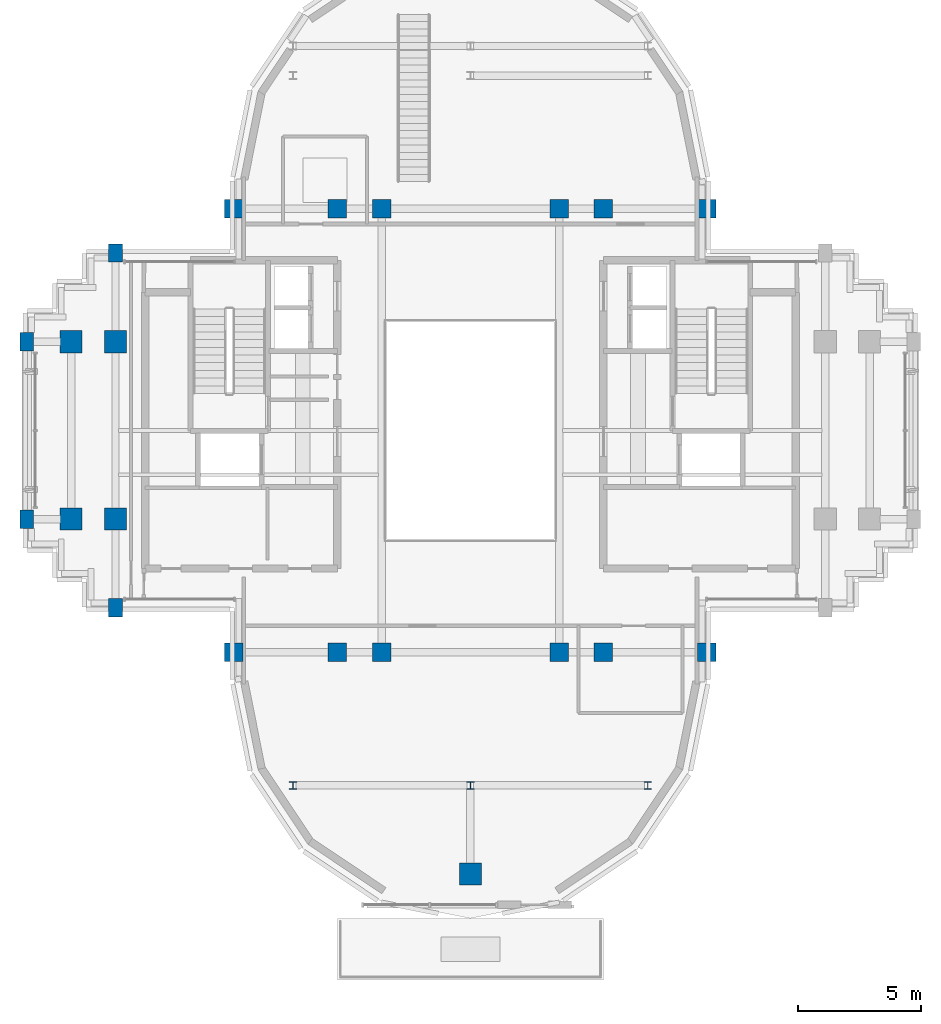
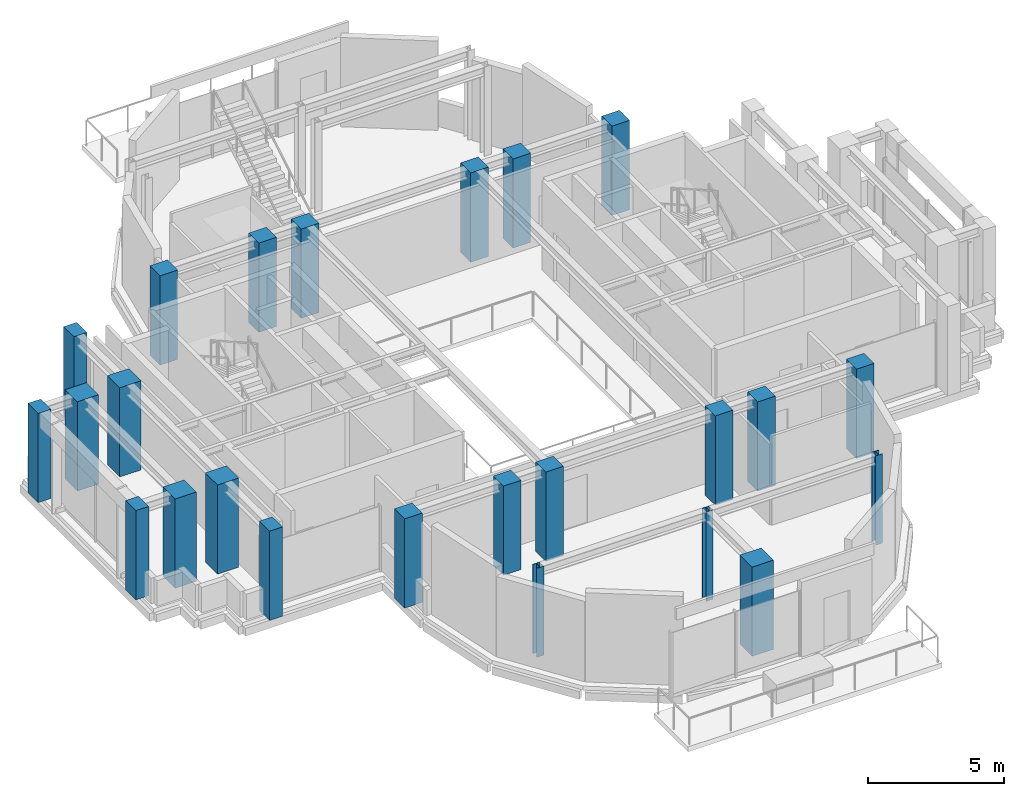
# One storey, part 1 of 14: 24 columns.
"""IFC4 building model written with IfcOpenShell, lengths in metres."""

from ifc_helpers import new_model, si_unit, direction, frame, origin, origin_2d, place, context, subcontext, project, spatial, rectangle, i_section, extrude, source, transform, mapped, material, material_profile, profile_set, type_object, element, save


model = new_model("IFC4")

# Units and contexts
model_context = context("Model", 3, precision=1e-05, world=origin(), true_north=direction((0.0, 1.0)))
body_context = subcontext(model_context, "Body", "Model", "MODEL_VIEW")
ifc_project = project(units=[si_unit("LENGTHUNIT", "METRE"), si_unit("AREAUNIT", "SQUARE_METRE"), si_unit("VOLUMEUNIT", "CUBIC_METRE"), si_unit("PLANEANGLEUNIT", "RADIAN"), si_unit("MASSUNIT", "GRAM", prefix="KILO")], contexts=[model_context])

# Site, building, storey
site_placement = place(None, origin())
site = spatial("IfcSite", under=ifc_project, at=site_placement, CompositionType="ELEMENT")
building_placement = place(site_placement, origin())
building = spatial("IfcBuilding", under=site, at=building_placement, Name="Keilestroom Media Tower", CompositionType="ELEMENT")
storey_placement = place(building_placement, frame((0.0, 0.0, 219.39990234375)))
storey = spatial("IfcBuildingStorey", under=building, at=storey_placement, Name="L60", CompositionType="ELEMENT", Elevation=219.39990234375)

# Columns
ifc_material_1 = material(Name="Precast concrete C40/50", Category="concrete")
ifc_material_profile_1 = material_profile(ifc_material_1, rectangle(XDim=0.550048828125, YDim=0.75, at=origin_2d()), Name="PC 750x550")
ifc_profile_set_1 = profile_set([ifc_material_profile_1], Name="Precast concrete C40/50")
column_type_1 = type_object("IfcColumnType", Name="Structural-Column-PC-750x550", PredefinedType="COLUMN", material=ifc_profile_set_1)
shared_shape_1 = source(origin(), body_context, "Body", "SweptSolid", [
    extrude(rectangle(XDim=0.550048828125, YDim=0.75, at=origin_2d()), origin(), (0.0, 0.0, 1.0), 4.010009765625),
])
for number, where, z_axis, x_axis, name in (
    (1, (-18.0, -3.60009765625, 0.0), (0.0, 0.0, 1.0), (1.0, 0.0, 0.0), "L60 Column PC-3 (-18.0,-3.6)"),
    (2, (-18.0, 3.60009765625, 0.0), (0.0, 0.0, 1.0), (1.0, 0.0, 0.0), "L60 Column PC-3 (-18.0,+3.6)"),
    (3, (-14.39990234375, -7.199951171875, 0.0), (0.0, 0.0, 1.0), (1.0, 0.0, 0.0), "L60 Column PC-3 (-14.4,-7.2)"),
    (4, (-14.39990234375, 7.199951171875, 0.0), (0.0, 0.0, 1.0), (1.0, 0.0, 0.0), "L60 Column PC-3 (-14.4,+7.2)"),
):
    element("IfcColumn", number, at=place(storey_placement, frame(where, z_axis=z_axis, x_axis=x_axis)), inside=storey, type_object=column_type_1, Name=name, PredefinedType="COLUMN", context=body_context, shape_type="MappedRepresentation", body=[
        mapped(shared_shape_1, transform((0.0, 0.0, 0.0), x_axis=(1.0, 0.0, 0.0), y_axis=(0.0, 1.0, 0.0), z_axis=(0.0, 0.0, 1.0), scale=1.0)),
    ])
ifc_material_2 = material(Name="Concrete C55/67", Category="concrete")
ifc_material_profile_2 = material_profile(ifc_material_2, rectangle(XDim=0.89990234375, YDim=0.89990234375, at=origin_2d()), Name="RC 900x900")
ifc_profile_set_2 = profile_set([ifc_material_profile_2], Name="Concrete C55/67")
column_type_2 = type_object("IfcColumnType", Name="Structural-Column-RC-900x900", PredefinedType="COLUMN", material=ifc_profile_set_2)
shared_shape_2 = source(origin(), body_context, "Body", "SweptSolid", [
    extrude(rectangle(XDim=0.89990234375, YDim=0.89990234375, at=origin_2d()), origin(), (0.0, 0.0, 1.0), 4.010009765625),
])
for number, where, z_axis, x_axis, name in (
    (5, (-16.199951171875, -3.60009765625, 0.0), (0.0, 0.0, 1.0), (1.0, 0.0, 0.0), "L60 Column MC-4 (-16.2,-3.6)"),
    (6, (-16.199951171875, 3.60009765625, 0.0), (0.0, 0.0, 1.0), (1.0, 0.0, 0.0), "L60 Column MC-4 (-16.2,+3.6)"),
    (7, (-14.39990234375, -3.60009765625, 0.0), (0.0, 0.0, 1.0), (1.0, 0.0, 0.0), "L60 Column MC-4 (-14.4,-3.6)"),
    (8, (-14.39990234375, 3.60009765625, 0.0), (0.0, 0.0, 1.0), (1.0, 0.0, 0.0), "L60 Column MC-4 (-14.4,+3.6)"),
    (9, (0.0, -18.0, 0.0), (0.0, 0.0, 1.0), (1.0, 0.0, 0.0), "L60 Column MC-4 (+0.0,-18.0)"),
):
    element("IfcColumn", number, at=place(storey_placement, frame(where, z_axis=z_axis, x_axis=x_axis)), inside=storey, type_object=column_type_2, Name=name, PredefinedType="COLUMN", context=body_context, shape_type="MappedRepresentation", body=[
        mapped(shared_shape_2, transform((0.0, 0.0, 0.0), x_axis=(1.0, 0.0, 0.0), y_axis=(0.0, 1.0, 0.0), z_axis=(0.0, 0.0, 1.0), scale=1.0)),
    ])
ifc_material_3 = material(Name="Concrete C50/60", Category="concrete")
ifc_material_profile_3 = material_profile(ifc_material_3, rectangle(XDim=0.75, YDim=0.75, at=origin_2d()), Name="RC 750x750")
ifc_profile_set_3 = profile_set([ifc_material_profile_3], Name="Concrete C50/60")
column_type_3 = type_object("IfcColumnType", Name="Structural-Column-RC-750x750", PredefinedType="COLUMN", material=ifc_profile_set_3)
shared_shape_3 = source(origin(), body_context, "Body", "SweptSolid", [
    extrude(rectangle(XDim=0.75, YDim=0.75, at=origin_2d()), origin(), (0.0, 0.0, 1.0), 4.010009765625),
])
for number, where, z_axis, x_axis, name in (
    (10, (-9.60009765625, -9.0, 0.0), (0.0, 0.0, 1.0), (1.0, 0.0, 0.0), "L60 Column MC-5 (-9.6,-9.0)"),
    (11, (-9.60009765625, 9.0, 0.0), (0.0, 0.0, 1.0), (1.0, 0.0, 0.0), "L60 Column MC-5 (-9.6,+9.0)"),
    (12, (-5.39990234375, -9.0, 0.0), (0.0, 0.0, 1.0), (1.0, 0.0, 0.0), "L60 Column MC-5 (-5.4,-9.0)"),
    (13, (-5.39990234375, 9.0, 0.0), (0.0, 0.0, 1.0), (1.0, 0.0, 0.0), "L60 Column MC-5 (-5.4,+9.0)"),
    (14, (-3.60009765625, -9.0, 0.0), (0.0, 0.0, 1.0), (1.0, 0.0, 0.0), "L60 Column MC-5 (-3.6,-9.0)"),
    (15, (-3.60009765625, 9.0, 0.0), (0.0, 0.0, 1.0), (1.0, 0.0, 0.0), "L60 Column MC-5 (-3.6,+9.0)"),
    (16, (3.60009765625, -9.0, 0.0), (0.0, 0.0, 1.0), (1.0, 0.0, 0.0), "L60 Column MC-5 (+3.6,-9.0)"),
    (17, (3.60009765625, 9.0, 0.0), (0.0, 0.0, 1.0), (1.0, 0.0, 0.0), "L60 Column MC-5 (+3.6,+9.0)"),
    (18, (5.39990234375, -9.0, 0.0), (0.0, 0.0, 1.0), (1.0, 0.0, 0.0), "L60 Column MC-5 (+5.4,-9.0)"),
    (19, (5.39990234375, 9.0, 0.0), (0.0, 0.0, 1.0), (1.0, 0.0, 0.0), "L60 Column MC-5 (+5.4,+9.0)"),
    (20, (9.60009765625, -9.0, 0.0), (0.0, 0.0, 1.0), (1.0, 0.0, 0.0), "L60 Column MC-5 (+9.6,-9.0)"),
    (21, (9.60009765625, 9.0, 0.0), (0.0, 0.0, 1.0), (1.0, 0.0, 0.0), "L60 Column MC-5 (+9.6,+9.0)"),
):
    element("IfcColumn", number, at=place(storey_placement, frame(where, z_axis=z_axis, x_axis=x_axis)), inside=storey, type_object=column_type_3, Name=name, PredefinedType="COLUMN", context=body_context, shape_type="MappedRepresentation", body=[
        mapped(shared_shape_3, transform((0.0, 0.0, 0.0), x_axis=(1.0, 0.0, 0.0), y_axis=(0.0, 1.0, 0.0), z_axis=(0.0, 0.0, 1.0), scale=1.0)),
    ])
ifc_material_4 = material(Name="Steel S355", Category="steel")
ifc_material_profile_4 = material_profile(ifc_material_4, i_section(OverallWidth=0.300048828125, OverallDepth=0.300048828125, WebThickness=0.010986328125, FlangeThickness=0.01904296875, at=origin_2d()), Name="HEB 300")
ifc_profile_set_4 = profile_set([ifc_material_profile_4], Name="Steel S355")
column_type_4 = type_object("IfcColumnType", Name="Structural-Column-HEB-300", PredefinedType="COLUMN", material=ifc_profile_set_4)
shared_shape_4 = source(origin(), body_context, "Body", "SweptSolid", [
    extrude(i_section(OverallWidth=0.300048828125, OverallDepth=0.300048828125, WebThickness=0.010986328125, FlangeThickness=0.01904296875, at=origin_2d()), origin(), (0.0, 0.0, 1.0), 4.010009765625),
])
for number, where, z_axis, x_axis, name in (
    (22, (-7.199951171875, -14.39990234375, 0.0), (0.0, 0.0, 1.0), (1.0, 0.0, 0.0), "L60 Column SC-5 (-7.2,-14.4)"),
    (23, (0.0, -14.39990234375, 0.0), (0.0, 0.0, 1.0), (1.0, 0.0, 0.0), "L60 Column SC-5 (+0.0,-14.4)"),
    (24, (7.199951171875, -14.39990234375, 0.0), (0.0, 0.0, 1.0), (1.0, 0.0, 0.0), "L60 Column SC-5 (+7.2,-14.4)"),
):
    element("IfcColumn", number, at=place(storey_placement, frame(where, z_axis=z_axis, x_axis=x_axis)), inside=storey, type_object=column_type_4, Name=name, PredefinedType="COLUMN", context=body_context, shape_type="MappedRepresentation", body=[
        mapped(shared_shape_4, transform((0.0, 0.0, 0.0), x_axis=(1.0, 0.0, 0.0), y_axis=(0.0, 1.0, 0.0), z_axis=(0.0, 0.0, 1.0), scale=1.0)),
    ])

save(model, "model.ifc")
